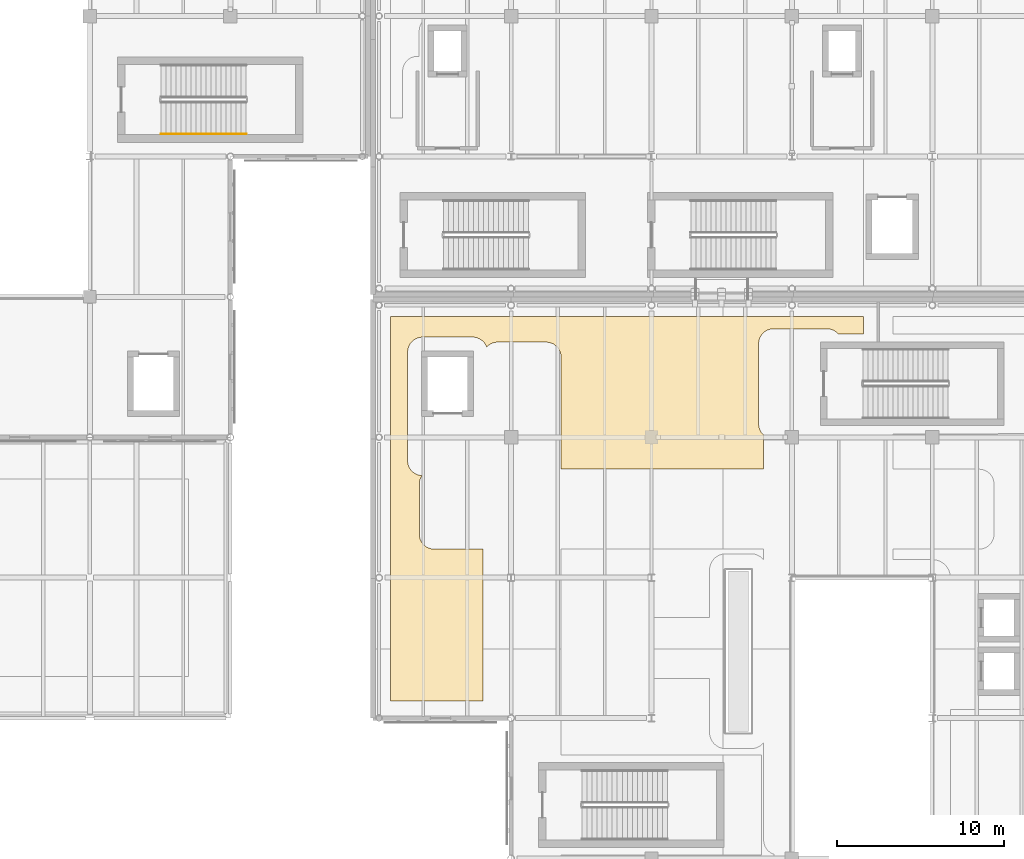
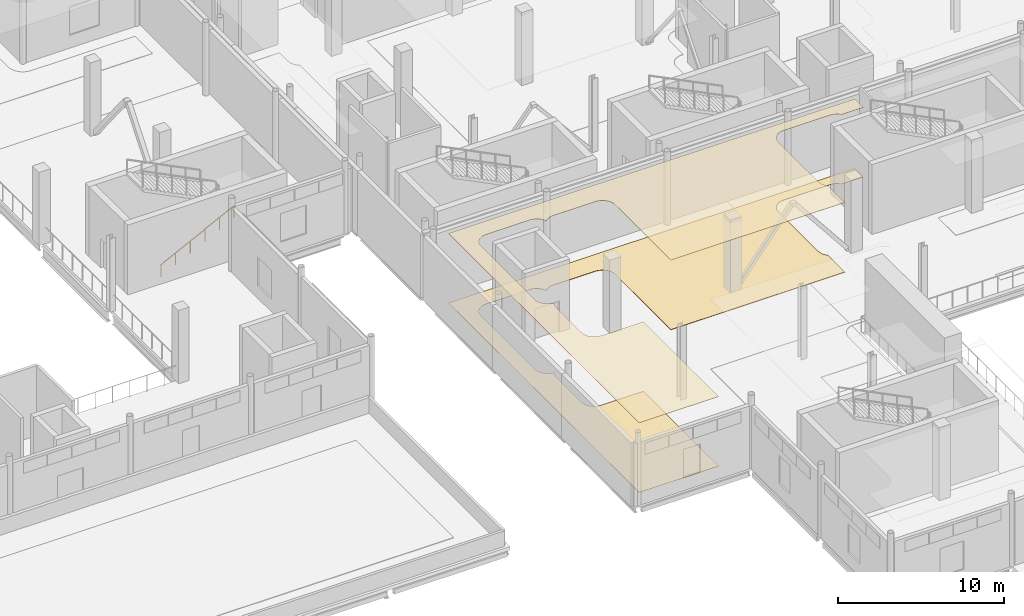
# One storey, part 93 of 110: 2 coverings, 1 railing.
"""IFC4 building model written with IfcOpenShell, lengths in metres."""

import ifcopenshell
import ifcopenshell.guid

model = None  # the IFC model being written
_history = None  # IfcOwnerHistory: only IFC2X3 demands one
_inside = {}  # id of a spatial element -> (the spatial element, [elements in it])
_under = {}  # id of a project, library or spatial element -> (it, [spatial elements below it])
_declared = {}  # id of a project -> (the project, [libraries it declares])
_typed = {}  # id of a type object -> (the type object, [elements of that type])
_made_of = {}  # id of a material, layer set ... -> (it, [elements and type objects made of it])


def new_model(schema):
    """Start an empty IFC model of exactly this schema.

    Asked for "IFC4X3", IfcOpenShell would pick the latest addendum, in which some entities
    have other attributes; the version numbers below select the first issue.
    IFC2X3 requires an IfcOwnerHistory on every rooted entity: one is made here for all.
    """
    global model, _history
    if schema == "IFC4X3":
        model = ifcopenshell.file(schema_version=(4, 3, 0, 0))
    else:
        model = ifcopenshell.file(schema=schema)
    _inside.clear()
    _under.clear()
    _declared.clear()
    _typed.clear()
    _made_of.clear()
    _history = None
    if model.schema == "IFC2X3":
        org = make("IfcOrganization", Name="unknown")
        user = make(
            "IfcPersonAndOrganization",
            ThePerson=make("IfcPerson", FamilyName="unknown"),
            TheOrganization=org,
        )
        app = make(
            "IfcApplication",
            ApplicationDeveloper=org,
            Version="unknown",
            ApplicationFullName="unknown",
            ApplicationIdentifier="unknown",
        )
        _history = make(
            "IfcOwnerHistory",
            OwningUser=user,
            OwningApplication=app,
            ChangeAction="ADDED",
            CreationDate=0,
        )
    return model


def make(cls, **values):
    """One entity of the class cls with the attributes given. An attribute that is None is left unset."""
    return model.create_entity(
        cls, **{name: value for name, value in values.items() if value is not None}
    )


def rooted(cls, **values):
    """An entity with a GlobalId (a new one), such as an element, a storey or a relation."""
    return make(cls, GlobalId=ifcopenshell.guid.new(), OwnerHistory=_history, **values)


def si_unit(unit_type, name, prefix=None):
    """IfcSIUnit, for example si_unit("LENGTHUNIT", "METRE", prefix="MILLI")."""
    return make("IfcSIUnit", UnitType=unit_type, Prefix=prefix, Name=name)


def assignment(units):
    """IfcUnitAssignment: the units of a project."""
    return None if units is None else make("IfcUnitAssignment", Units=units)


def point(xyz):
    """IfcCartesianPoint."""
    return None if xyz is None else make("IfcCartesianPoint", Coordinates=xyz)


def direction(xyz):
    """IfcDirection."""
    return None if xyz is None else make("IfcDirection", DirectionRatios=xyz)


def frame(location, z_axis=None, x_axis=None):
    """IfcAxis2Placement3D, a coordinate frame: its origin and axes. An axis left out is left unset."""
    return make(
        "IfcAxis2Placement3D",
        Location=point(location),
        Axis=direction(z_axis),
        RefDirection=direction(x_axis),
    )


def frame_2d(location, x_axis=None):
    """IfcAxis2Placement2D, a coordinate frame in the plane: its origin and x axis."""
    return make(
        "IfcAxis2Placement2D", Location=point(location), RefDirection=direction(x_axis)
    )


def origin():
    """The frame at (0, 0, 0) with its axes left unset."""
    return frame((0.0, 0.0, 0.0))


def origin_2d():
    """The frame at (0, 0) in the plane with its x axis left unset."""
    return frame_2d((0.0, 0.0))


def place(relative_to, where):
    """IfcLocalPlacement: puts the frame where relative to a parent placement (None: the world)."""
    return make(
        "IfcLocalPlacement", PlacementRelTo=relative_to, RelativePlacement=where
    )


def context(
    kind, dimensions, precision=None, world=None, true_north=None, identifier=None
):
    """IfcGeometricRepresentationContext, for example the 3D "Model" context."""
    return make(
        "IfcGeometricRepresentationContext",
        ContextIdentifier=identifier,
        ContextType=kind,
        CoordinateSpaceDimension=dimensions,
        Precision=precision,
        WorldCoordinateSystem=world,
        TrueNorth=true_north,
    )


def subcontext(parent, identifier, kind, view, scale=None):
    """IfcGeometricRepresentationSubContext, for example "Body" below "Model"."""
    return make(
        "IfcGeometricRepresentationSubContext",
        ContextIdentifier=identifier,
        ContextType=kind,
        ParentContext=parent,
        TargetScale=scale,
        TargetView=view,
    )


def project(units=None, contexts=None):
    """IfcProject with its units and contexts."""
    return rooted(
        "IfcProject",
        Name="project",
        RepresentationContexts=contexts,
        UnitsInContext=assignment(units),
    )


def spatial(cls, under=None, at=None, **own):
    """A site, building, storey or space (cls), placed at a placement, below another one or the project."""
    s = rooted(cls, ObjectPlacement=at, **own)
    if under is not None:
        _under.setdefault(under.id(), (under, []))[1].append(s)
    return s


def polyline(points):
    """IfcPolyline through the points."""
    return make("IfcPolyline", Points=[point(p) for p in points])


def profile(cls, at=None, kind="AREA", **sizes):
    """A parametric profile (cls). Its sizes go by their IFC names, for example OverallWidth=200.0."""
    return make(cls, ProfileType=kind, Position=at, **sizes)


def circle(**sizes):
    """IfcCircleProfileDef."""
    return profile("IfcCircleProfileDef", **sizes)


def outline(outer, holes=None, kind="AREA"):
    """IfcArbitraryClosedProfileDef: a profile drawn as a closed curve; with holes, ...WithVoids."""
    if holes is None:
        return make("IfcArbitraryClosedProfileDef", ProfileType=kind, OuterCurve=outer)
    return make(
        "IfcArbitraryProfileDefWithVoids",
        ProfileType=kind,
        OuterCurve=outer,
        InnerCurves=holes,
    )


def extrude(swept, where, along, depth):
    """IfcExtrudedAreaSolid: the profile swept, set in the frame where, extruded along a direction by depth."""
    return make(
        "IfcExtrudedAreaSolid",
        SweptArea=swept,
        Position=where,
        ExtrudedDirection=direction(along),
        Depth=depth,
    )


def shape(context_of_items, identifier, shape_type, items):
    """IfcShapeRepresentation: the items that make up one representation, for example the "Body"."""
    return make(
        "IfcShapeRepresentation",
        ContextOfItems=context_of_items,
        RepresentationIdentifier=identifier,
        RepresentationType=shape_type,
        Items=items,
    )


def material(Name=None, Category=None):
    """IfcMaterial."""
    return make("IfcMaterial", Name=Name, Category=Category)


def layer(
    of_material, thickness, ventilated=None, Name=None, Category=None, Priority=None
):
    """IfcMaterialLayer: one layer of a wall or slab, of a material (None: an air gap)."""
    return make(
        "IfcMaterialLayer",
        Material=of_material,
        LayerThickness=thickness,
        IsVentilated=ventilated,
        Name=Name,
        Category=Category,
        Priority=Priority,
    )


def layer_set(layers, Name=None):
    """IfcMaterialLayerSet."""
    return make("IfcMaterialLayerSet", MaterialLayers=layers, LayerSetName=Name)


def made_of(thing, what):
    """Note that an element or type object is made of a material, layer set ...; save() writes the relation."""
    if what is not None:
        _made_of.setdefault(what.id(), (what, []))[1].append(thing)
    return thing


def type_object(cls, material=None, **own):
    """A type object (cls), such as IfcWallType, which elements share."""
    return made_of(rooted(cls, **own), material)


def element(
    cls,
    number,
    at=None,
    inside=None,
    cuts=None,
    type_object=None,
    material=None,
    context=None,
    identifier="Body",
    shape_type=None,
    held_by="IfcProductDefinitionShape",
    body=None,
    shapes=None,
    **own,
):
    """One element of the class cls, such as IfcWall. Its Tag is "e" and its number.

    at: its placement. inside: the storey or other place that contains it. cuts: it is an
    opening in that element (IfcRelVoidsElement). A single representation is given by context,
    identifier, shape_type and body (its items); several are given by shapes. held_by: the class
    of the entity that holds the representations. save() writes the other relations.
    """
    e = rooted(cls, Tag="e%d" % number, ObjectPlacement=at, **own)
    if body is not None:
        shapes = [shape(context, identifier, shape_type, body)]
    if shapes is not None:
        e.Representation = make(held_by, Representations=shapes)
    if inside is not None:
        _inside.setdefault(inside.id(), (inside, []))[1].append(e)
    if cuts is not None:
        rooted(
            "IfcRelVoidsElement", RelatingBuildingElement=cuts, RelatedOpeningElement=e
        )
    if type_object is not None:
        _typed.setdefault(type_object.id(), (type_object, []))[1].append(e)
    return made_of(e, material)


def aggregate(whole, parts):
    """IfcRelAggregates: a whole, such as a stair, and the parts it consists of."""
    return rooted("IfcRelAggregates", RelatingObject=whole, RelatedObjects=parts)


def save(model, path):
    """Write the relations noted so far, then the file.

    IfcRelAggregates (storeys below a building ...), IfcRelContainedInSpatialStructure (elements
    in a storey), IfcRelDefinesByType, IfcRelAssociatesMaterial and IfcRelDeclares: one each for
    every whole, place, type object, material and project.
    """
    for whole, parts in _under.values():
        aggregate(whole, parts)
    for where, things in _inside.values():
        rooted(
            "IfcRelContainedInSpatialStructure",
            RelatedElements=things,
            RelatingStructure=where,
        )
    for kind, things in _typed.values():
        rooted("IfcRelDefinesByType", RelatedObjects=things, RelatingType=kind)
    for what, things in _made_of.values():
        rooted("IfcRelAssociatesMaterial", RelatedObjects=things, RelatingMaterial=what)
    for by, libraries in _declared.values():
        rooted("IfcRelDeclares", RelatingContext=by, RelatedDefinitions=libraries)
    model.write(path)


model = new_model("IFC4")

# Units and contexts
model_context = context("Model", 3, precision=1e-05, world=origin(), true_north=direction((0.0, 1.0)))
body_context = subcontext(model_context, "Body", "Model", "MODEL_VIEW")
ifc_project = project(units=[si_unit("LENGTHUNIT", "METRE"), si_unit("AREAUNIT", "SQUARE_METRE"), si_unit("VOLUMEUNIT", "CUBIC_METRE"), si_unit("PLANEANGLEUNIT", "RADIAN"), si_unit("MASSUNIT", "GRAM", prefix="KILO"), si_unit("THERMODYNAMICTEMPERATUREUNIT", "KELVIN")], contexts=[model_context])

# Site, building, storey
site_placement = place(None, origin())
site = spatial("IfcSite", under=ifc_project, at=site_placement, CompositionType="ELEMENT")
building_placement = place(site_placement, origin())
building = spatial("IfcBuilding", under=site, at=building_placement, Name="Lustrewick Department Store", CompositionType="ELEMENT")
storey_placement = place(building_placement, frame((0.0, 0.0, 6.0)))
storey = spatial("IfcBuildingStorey", under=building, at=storey_placement, Name="L02", CompositionType="ELEMENT", Elevation=6.0)

# Coverings
ifc_material_1 = material(Name="Perforated mineral-fibre acoustic ceiling board", Category="gypsum")
ifc_layer_1 = layer(ifc_material_1, 0.02490234375, Name="Perforated mineral-fibre acoustic ceiling board")
ifc_layer_set_1 = layer_set([ifc_layer_1], Name="Perforated mineral-fibre acoustic ceiling board")
covering_type_1 = type_object("IfcCoveringType", Name="COV-CEIL", PredefinedType="CEILING", material=ifc_layer_set_1)
covering_1_placement = place(storey_placement, frame((0.0, 0.0, 5.1201171875)))
element("IfcCovering", 1, at=covering_1_placement, inside=storey, type_object=covering_type_1, Name="L02 V3 Merchandise Display Alcove 3 Acoustic Ceiling", PredefinedType="CEILING", context=body_context, shape_type="SweptSolid", body=[
    extrude(outline(polyline([(112.21240234375, 39.714111328125), (112.12841796875, 39.726806640625), (112.125, 39.727294921875), (112.107421875, 39.731201171875), (112.104248046875, 39.731689453125), (112.021484375, 39.75439453125), (111.94140625, 39.785400390625), (111.936279296875, 39.787841796875), (111.869384765625, 39.821044921875), (111.865478515625, 39.8232421875), (111.80419921875, 39.86083984375), (111.74609375, 39.903564453125), (111.741455078125, 39.906982421875), (111.670654296875, 39.970703125), (111.607177734375, 40.04150390625), (111.603515625, 40.0458984375), (111.560791015625, 40.10400390625), (111.523193359375, 40.16552734375), (111.52099609375, 40.16943359375), (111.48779296875, 40.236328125), (111.4853515625, 40.241455078125), (111.45458984375, 40.321533203125), (111.431884765625, 40.404296875), (111.43115234375, 40.407470703125), (111.427490234375, 40.425048828125), (111.4267578125, 40.428466796875), (111.414306640625, 40.51220703125), (111.409912109375, 40.596923828125), (111.409912109375, 47.10302734375), (111.414306640625, 47.187744140625), (111.4267578125, 47.271484375), (111.427490234375, 47.27490234375), (111.43115234375, 47.29248046875), (111.431884765625, 47.295654296875), (111.45458984375, 47.37841796875), (111.4853515625, 47.45849609375), (111.48779296875, 47.463623046875), (111.52099609375, 47.530517578125), (111.523193359375, 47.534423828125), (111.560791015625, 47.595947265625), (111.603515625, 47.654052734375), (111.607177734375, 47.65869140625), (111.670654296875, 47.7294921875), (111.741455078125, 47.79296875), (111.74609375, 47.79638671875), (111.80419921875, 47.839111328125), (111.865478515625, 47.876708984375), (111.869384765625, 47.87890625), (111.936279296875, 47.912109375), (111.94140625, 47.91455078125), (112.021484375, 47.945556640625), (112.104248046875, 47.96826171875), (112.107421875, 47.968994140625), (112.125, 47.97265625), (112.12841796875, 47.973388671875), (112.21240234375, 47.98583984375), (112.297119140625, 47.989990234375), (115.302978515625, 47.989990234375), (115.3876953125, 47.98583984375), (115.4716796875, 47.973388671875), (115.47509765625, 47.97265625), (115.492431640625, 47.968994140625), (115.49560546875, 47.96826171875), (115.57861328125, 47.945556640625), (115.658447265625, 47.91455078125), (115.663818359375, 47.912109375), (115.73046875, 47.87890625), (115.734375, 47.876708984375), (115.7958984375, 47.839111328125), (115.85400390625, 47.79638671875), (115.858642578125, 47.79296875), (115.929443359375, 47.7294921875), (115.992919921875, 47.65869140625), (115.99658203125, 47.654052734375), (116.0390625, 47.595947265625), (116.07666015625, 47.534423828125), (116.078857421875, 47.530517578125), (116.1123046875, 47.463623046875), (116.114501953125, 47.45849609375), (116.139404296875, 47.39453125), (116.170654296875, 47.429443359375), (116.241455078125, 47.492919921875), (116.24609375, 47.49658203125), (116.30419921875, 47.5390625), (116.365478515625, 47.57666015625), (116.369384765625, 47.578857421875), (116.436279296875, 47.6123046875), (116.44140625, 47.614501953125), (116.521484375, 47.6455078125), (116.604248046875, 47.668212890625), (116.607421875, 47.6689453125), (116.625, 47.672607421875), (116.62841796875, 47.67333984375), (116.71240234375, 47.685791015625), (116.797119140625, 47.68994140625), (119.702880859375, 47.68994140625), (119.78759765625, 47.685791015625), (119.87158203125, 47.67333984375), (119.875, 47.672607421875), (119.892578125, 47.6689453125), (119.895751953125, 47.668212890625), (119.978515625, 47.6455078125), (120.05859375, 47.614501953125), (120.063720703125, 47.6123046875), (120.130615234375, 47.578857421875), (120.134521484375, 47.57666015625), (120.19580078125, 47.5390625), (120.25390625, 47.49658203125), (120.258544921875, 47.492919921875), (120.329345703125, 47.429443359375), (120.392822265625, 47.358642578125), (120.396484375, 47.35400390625), (120.439208984375, 47.2958984375), (120.476806640625, 47.234375), (120.47900390625, 47.23046875), (120.51220703125, 47.163818359375), (120.513427734375, 47.1611328125), (120.5146484375, 47.158447265625), (120.54541015625, 47.07861328125), (120.568115234375, 46.99560546875), (120.56884765625, 46.992431640625), (120.572509765625, 46.97509765625), (120.5732421875, 46.9716796875), (120.585693359375, 46.8876953125), (120.590087890625, 46.802978515625), (120.590087890625, 40.090087890625), (132.7099609375, 40.090087890625), (132.7099609375, 42.13525390625), (132.670654296875, 42.170654296875), (132.607177734375, 42.241455078125), (132.603515625, 42.24609375), (132.560791015625, 42.30419921875), (132.523193359375, 42.365478515625), (132.52099609375, 42.369384765625), (132.48779296875, 42.436279296875), (132.486572265625, 42.438720703125), (132.4853515625, 42.44140625), (132.45458984375, 42.521484375), (132.431884765625, 42.604248046875), (132.43115234375, 42.607421875), (132.427490234375, 42.625), (132.4267578125, 42.62841796875), (132.414306640625, 42.71240234375), (132.409912109375, 42.797119140625), (132.409912109375, 47.60302734375), (132.414306640625, 47.687744140625), (132.4267578125, 47.771484375), (132.427490234375, 47.77490234375), (132.43115234375, 47.79248046875), (132.431884765625, 47.795654296875), (132.45458984375, 47.87841796875), (132.4853515625, 47.95849609375), (132.486572265625, 47.961181640625), (132.48779296875, 47.963623046875), (132.52099609375, 48.030517578125), (132.523193359375, 48.034423828125), (132.560791015625, 48.095947265625), (132.603515625, 48.154052734375), (132.607177734375, 48.15869140625), (132.670654296875, 48.2294921875), (132.741455078125, 48.29296875), (132.74609375, 48.29638671875), (132.80419921875, 48.339111328125), (132.865478515625, 48.376708984375), (132.869384765625, 48.37890625), (132.936279296875, 48.412109375), (132.94140625, 48.41455078125), (133.021484375, 48.445556640625), (133.104248046875, 48.46826171875), (133.107421875, 48.468994140625), (133.125, 48.47265625), (133.12841796875, 48.473388671875), (133.21240234375, 48.48583984375), (133.297119140625, 48.489990234375), (136.5029296875, 48.489990234375), (136.587646484375, 48.48583984375), (136.671630859375, 48.473388671875), (136.675048828125, 48.47265625), (136.6923828125, 48.468994140625), (136.69580078125, 48.46826171875), (136.778564453125, 48.445556640625), (136.8583984375, 48.41455078125), (136.86376953125, 48.412109375), (136.930419921875, 48.37890625), (136.934326171875, 48.376708984375), (136.995849609375, 48.339111328125), (137.053955078125, 48.29638671875), (137.05859375, 48.29296875), (137.12939453125, 48.2294921875), (137.164794921875, 48.18994140625), (138.67822265625, 48.18994140625), (138.67822265625, 49.22998046875), (110.3701171875, 49.22998046875), (110.3701171875, 26.219970703125), (115.909912109375, 26.219970703125), (115.909912109375, 35.31005859375), (112.9970703125, 35.31005859375), (112.912353515625, 35.314208984375), (112.828369140625, 35.32666015625), (112.824951171875, 35.327392578125), (112.8076171875, 35.3310546875), (112.80419921875, 35.331787109375), (112.721435546875, 35.3544921875), (112.6416015625, 35.385498046875), (112.63623046875, 35.3876953125), (112.569580078125, 35.421142578125), (112.565673828125, 35.42333984375), (112.504150390625, 35.4609375), (112.446044921875, 35.50341796875), (112.44140625, 35.507080078125), (112.37060546875, 35.570556640625), (112.30712890625, 35.641357421875), (112.303466796875, 35.64599609375), (112.260986328125, 35.7041015625), (112.223388671875, 35.765625), (112.22119140625, 35.76953125), (112.187744140625, 35.836181640625), (112.1865234375, 35.8388671875), (112.185302734375, 35.841552734375), (112.154541015625, 35.92138671875), (112.1318359375, 36.00439453125), (112.131103515625, 36.007568359375), (112.12744140625, 36.02490234375), (112.126708984375, 36.0283203125), (112.1142578125, 36.1123046875), (112.110107421875, 36.197021484375), (112.110107421875, 39.202880859375), (112.1142578125, 39.28759765625), (112.126708984375, 39.37158203125), (112.12744140625, 39.375), (112.131103515625, 39.392578125), (112.1318359375, 39.395751953125), (112.154541015625, 39.478515625), (112.185302734375, 39.55859375), (112.1865234375, 39.561279296875), (112.187744140625, 39.563720703125), (112.22119140625, 39.630615234375), (112.223388671875, 39.634521484375), (112.260986328125, 39.69580078125), (112.272216796875, 39.711181640625), (112.21240234375, 39.714111328125)])), origin(), (0.0, 0.0, 1.0), 0.02490234375),
])
ifc_material_2 = material(Name="Polished terrazzo and porcelain floor finish", Category="masonry")
ifc_layer_2 = layer(ifc_material_2, 0.02001953125, Name="Polished terrazzo and porcelain floor finish")
ifc_layer_set_2 = layer_set([ifc_layer_2], Name="Polished terrazzo and porcelain floor finish")
covering_type_2 = type_object("IfcCoveringType", Name="COV-FLR", PredefinedType="FLOORING", material=ifc_layer_set_2)
covering_2_placement = place(storey_placement, origin())
element("IfcCovering", 2, at=covering_2_placement, inside=storey, type_object=covering_type_2, Name="L02 V3 Merchandise Display Alcove 3 Terrazzo Flooring", PredefinedType="FLOORING", context=body_context, shape_type="SweptSolid", body=[
    extrude(outline(polyline([(112.21240234375, 39.714111328125), (112.12841796875, 39.726806640625), (112.125, 39.727294921875), (112.107421875, 39.731201171875), (112.104248046875, 39.731689453125), (112.021484375, 39.75439453125), (111.94140625, 39.785400390625), (111.936279296875, 39.787841796875), (111.869384765625, 39.821044921875), (111.865478515625, 39.8232421875), (111.80419921875, 39.86083984375), (111.74609375, 39.903564453125), (111.741455078125, 39.906982421875), (111.670654296875, 39.970703125), (111.607177734375, 40.04150390625), (111.603515625, 40.0458984375), (111.560791015625, 40.10400390625), (111.523193359375, 40.16552734375), (111.52099609375, 40.16943359375), (111.48779296875, 40.236328125), (111.4853515625, 40.241455078125), (111.45458984375, 40.321533203125), (111.431884765625, 40.404296875), (111.43115234375, 40.407470703125), (111.427490234375, 40.425048828125), (111.4267578125, 40.428466796875), (111.414306640625, 40.51220703125), (111.409912109375, 40.596923828125), (111.409912109375, 47.10302734375), (111.414306640625, 47.187744140625), (111.4267578125, 47.271484375), (111.427490234375, 47.27490234375), (111.43115234375, 47.29248046875), (111.431884765625, 47.295654296875), (111.45458984375, 47.37841796875), (111.4853515625, 47.45849609375), (111.48779296875, 47.463623046875), (111.52099609375, 47.530517578125), (111.523193359375, 47.534423828125), (111.560791015625, 47.595947265625), (111.603515625, 47.654052734375), (111.607177734375, 47.65869140625), (111.670654296875, 47.7294921875), (111.741455078125, 47.79296875), (111.74609375, 47.79638671875), (111.80419921875, 47.839111328125), (111.865478515625, 47.876708984375), (111.869384765625, 47.87890625), (111.936279296875, 47.912109375), (111.94140625, 47.91455078125), (112.021484375, 47.945556640625), (112.104248046875, 47.96826171875), (112.107421875, 47.968994140625), (112.125, 47.97265625), (112.12841796875, 47.973388671875), (112.21240234375, 47.98583984375), (112.297119140625, 47.989990234375), (115.302978515625, 47.989990234375), (115.3876953125, 47.98583984375), (115.4716796875, 47.973388671875), (115.47509765625, 47.97265625), (115.492431640625, 47.968994140625), (115.49560546875, 47.96826171875), (115.57861328125, 47.945556640625), (115.658447265625, 47.91455078125), (115.663818359375, 47.912109375), (115.73046875, 47.87890625), (115.734375, 47.876708984375), (115.7958984375, 47.839111328125), (115.85400390625, 47.79638671875), (115.858642578125, 47.79296875), (115.929443359375, 47.7294921875), (115.992919921875, 47.65869140625), (115.99658203125, 47.654052734375), (116.0390625, 47.595947265625), (116.07666015625, 47.534423828125), (116.078857421875, 47.530517578125), (116.1123046875, 47.463623046875), (116.114501953125, 47.45849609375), (116.139404296875, 47.39453125), (116.170654296875, 47.429443359375), (116.241455078125, 47.492919921875), (116.24609375, 47.49658203125), (116.30419921875, 47.5390625), (116.365478515625, 47.57666015625), (116.369384765625, 47.578857421875), (116.436279296875, 47.6123046875), (116.44140625, 47.614501953125), (116.521484375, 47.6455078125), (116.604248046875, 47.668212890625), (116.607421875, 47.6689453125), (116.625, 47.672607421875), (116.62841796875, 47.67333984375), (116.71240234375, 47.685791015625), (116.797119140625, 47.68994140625), (119.702880859375, 47.68994140625), (119.78759765625, 47.685791015625), (119.87158203125, 47.67333984375), (119.875, 47.672607421875), (119.892578125, 47.6689453125), (119.895751953125, 47.668212890625), (119.978515625, 47.6455078125), (120.05859375, 47.614501953125), (120.063720703125, 47.6123046875), (120.130615234375, 47.578857421875), (120.134521484375, 47.57666015625), (120.19580078125, 47.5390625), (120.25390625, 47.49658203125), (120.258544921875, 47.492919921875), (120.329345703125, 47.429443359375), (120.392822265625, 47.358642578125), (120.396484375, 47.35400390625), (120.439208984375, 47.2958984375), (120.476806640625, 47.234375), (120.47900390625, 47.23046875), (120.51220703125, 47.163818359375), (120.513427734375, 47.1611328125), (120.5146484375, 47.158447265625), (120.54541015625, 47.07861328125), (120.568115234375, 46.99560546875), (120.56884765625, 46.992431640625), (120.572509765625, 46.97509765625), (120.5732421875, 46.9716796875), (120.585693359375, 46.8876953125), (120.590087890625, 46.802978515625), (120.590087890625, 40.090087890625), (132.7099609375, 40.090087890625), (132.7099609375, 42.13525390625), (132.670654296875, 42.170654296875), (132.607177734375, 42.241455078125), (132.603515625, 42.24609375), (132.560791015625, 42.30419921875), (132.523193359375, 42.365478515625), (132.52099609375, 42.369384765625), (132.48779296875, 42.436279296875), (132.486572265625, 42.438720703125), (132.4853515625, 42.44140625), (132.45458984375, 42.521484375), (132.431884765625, 42.604248046875), (132.43115234375, 42.607421875), (132.427490234375, 42.625), (132.4267578125, 42.62841796875), (132.414306640625, 42.71240234375), (132.409912109375, 42.797119140625), (132.409912109375, 47.60302734375), (132.414306640625, 47.687744140625), (132.4267578125, 47.771484375), (132.427490234375, 47.77490234375), (132.43115234375, 47.79248046875), (132.431884765625, 47.795654296875), (132.45458984375, 47.87841796875), (132.4853515625, 47.95849609375), (132.486572265625, 47.961181640625), (132.48779296875, 47.963623046875), (132.52099609375, 48.030517578125), (132.523193359375, 48.034423828125), (132.560791015625, 48.095947265625), (132.603515625, 48.154052734375), (132.607177734375, 48.15869140625), (132.670654296875, 48.2294921875), (132.741455078125, 48.29296875), (132.74609375, 48.29638671875), (132.80419921875, 48.339111328125), (132.865478515625, 48.376708984375), (132.869384765625, 48.37890625), (132.936279296875, 48.412109375), (132.94140625, 48.41455078125), (133.021484375, 48.445556640625), (133.104248046875, 48.46826171875), (133.107421875, 48.468994140625), (133.125, 48.47265625), (133.12841796875, 48.473388671875), (133.21240234375, 48.48583984375), (133.297119140625, 48.489990234375), (136.5029296875, 48.489990234375), (136.587646484375, 48.48583984375), (136.671630859375, 48.473388671875), (136.675048828125, 48.47265625), (136.6923828125, 48.468994140625), (136.69580078125, 48.46826171875), (136.778564453125, 48.445556640625), (136.8583984375, 48.41455078125), (136.86376953125, 48.412109375), (136.930419921875, 48.37890625), (136.934326171875, 48.376708984375), (136.995849609375, 48.339111328125), (137.053955078125, 48.29638671875), (137.05859375, 48.29296875), (137.12939453125, 48.2294921875), (137.164794921875, 48.18994140625), (138.67822265625, 48.18994140625), (138.67822265625, 49.22998046875), (110.3701171875, 49.22998046875), (110.3701171875, 26.219970703125), (115.909912109375, 26.219970703125), (115.909912109375, 35.31005859375), (112.9970703125, 35.31005859375), (112.912353515625, 35.314208984375), (112.828369140625, 35.32666015625), (112.824951171875, 35.327392578125), (112.8076171875, 35.3310546875), (112.80419921875, 35.331787109375), (112.721435546875, 35.3544921875), (112.6416015625, 35.385498046875), (112.63623046875, 35.3876953125), (112.569580078125, 35.421142578125), (112.565673828125, 35.42333984375), (112.504150390625, 35.4609375), (112.446044921875, 35.50341796875), (112.44140625, 35.507080078125), (112.37060546875, 35.570556640625), (112.30712890625, 35.641357421875), (112.303466796875, 35.64599609375), (112.260986328125, 35.7041015625), (112.223388671875, 35.765625), (112.22119140625, 35.76953125), (112.187744140625, 35.836181640625), (112.1865234375, 35.8388671875), (112.185302734375, 35.841552734375), (112.154541015625, 35.92138671875), (112.1318359375, 36.00439453125), (112.131103515625, 36.007568359375), (112.12744140625, 36.02490234375), (112.126708984375, 36.0283203125), (112.1142578125, 36.1123046875), (112.110107421875, 36.197021484375), (112.110107421875, 39.202880859375), (112.1142578125, 39.28759765625), (112.126708984375, 39.37158203125), (112.12744140625, 39.375), (112.131103515625, 39.392578125), (112.1318359375, 39.395751953125), (112.154541015625, 39.478515625), (112.185302734375, 39.55859375), (112.1865234375, 39.561279296875), (112.187744140625, 39.563720703125), (112.22119140625, 39.630615234375), (112.223388671875, 39.634521484375), (112.260986328125, 39.69580078125), (112.272216796875, 39.711181640625), (112.21240234375, 39.714111328125)])), origin(), (0.0, 0.0, 1.0), 0.02001953125),
])

# Railing
ifc_material_3 = material(Name="Brushed stainless steel wall handrail", Category="steel")
railing_type = type_object("IfcRailingType", Name="RL-STH", PredefinedType="HANDRAIL", material=ifc_material_3)
railing_placement = place(storey_placement, frame((96.64990234375, 60.14990234375, 0.14990234375)))
element("IfcRailing", 3, at=railing_placement, inside=storey, type_object=railing_type, Name="L02 ST05 Stair Handrail 1", PredefinedType="HANDRAIL", context=body_context, shape_type="SweptSolid", body=[
    extrude(circle(Radius=0.02392578125, at=origin_2d()), frame((0.0, 0.0, 0.8759765625), z_axis=(0.894427191, 0.0, 0.4472135955), x_axis=(0.0, 1.0, 0.0)), (0.0, 0.0, 1.0), 5.7021484375),
    extrude(circle(Radius=0.02099609375, at=origin_2d()), origin(), (0.0, 0.0, 1.0), 0.851806640625),
    extrude(circle(Radius=0.02099609375, at=origin_2d()), frame((1.02001953125, 0.0, 0.510009765625)), (0.0, 0.0, 1.0), 0.851806640625),
    extrude(circle(Radius=0.02099609375, at=origin_2d()), frame((2.0400390625, 0.0, 1.02001953125)), (0.0, 0.0, 1.0), 0.851806640625),
    extrude(circle(Radius=0.02099609375, at=origin_2d()), frame((3.06005859375, 0.0, 1.530029296875)), (0.0, 0.0, 1.0), 0.851806640625),
    extrude(circle(Radius=0.02099609375, at=origin_2d()), frame((4.080078125, 0.0, 2.0400390625)), (0.0, 0.0, 1.0), 0.851806640625),
    extrude(circle(Radius=0.02099609375, at=origin_2d()), frame((5.10009765625, 0.0, 2.550048828125)), (0.0, 0.0, 1.0), 0.851806640625),
])

save(model, "model.ifc")
